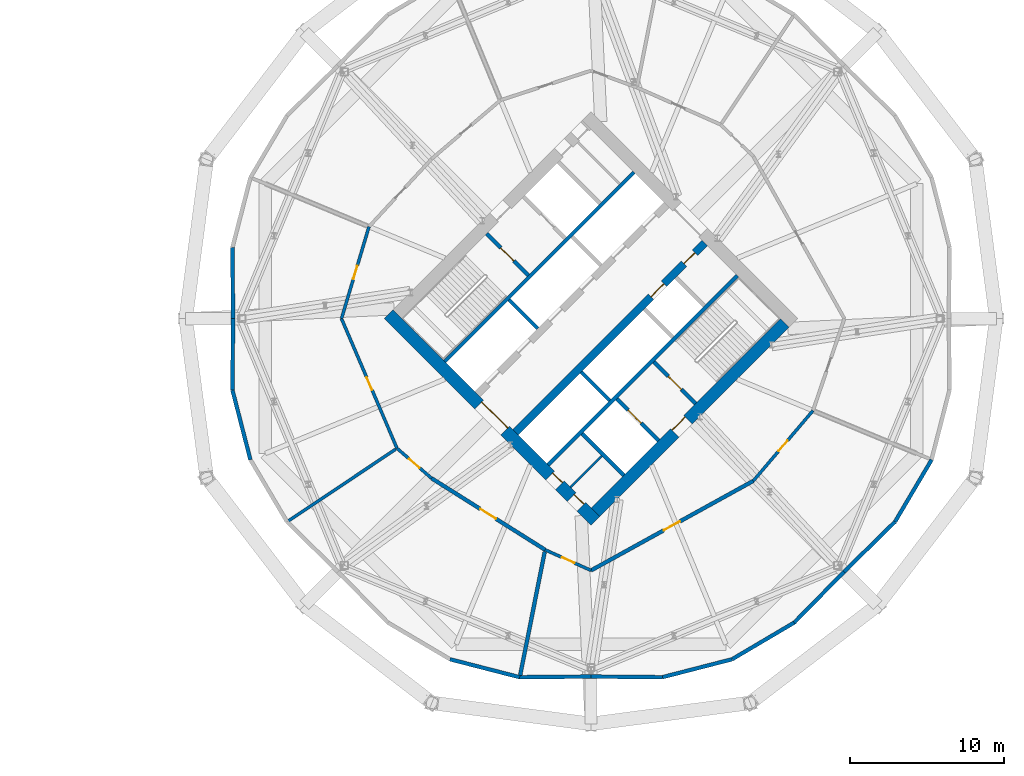
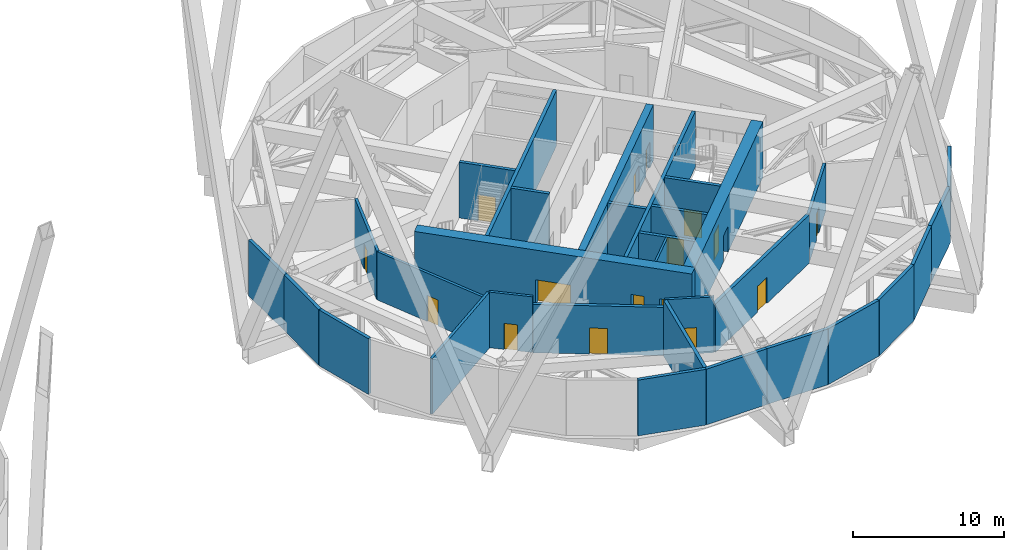
# One storey, part 17 of 21: 32 walls, 16 doors, 16 openings.
"""IFC4 building model written with IfcOpenShell, lengths in metres."""

from ifc_helpers import new_model, si_unit, direction, frame, frame_2d, origin, place, context, subcontext, project, spatial, rectangle, extrude, material, layer, layer_set, type_object, element, fill, save


model = new_model("IFC4")

# Units and contexts
model_context = context("Model", 3, precision=1e-05, world=origin(), true_north=direction((0.0, 1.0)))
body_context = subcontext(model_context, "Body", "Model", "MODEL_VIEW")
ifc_project = project(units=[si_unit("LENGTHUNIT", "METRE"), si_unit("AREAUNIT", "SQUARE_METRE"), si_unit("VOLUMEUNIT", "CUBIC_METRE"), si_unit("PLANEANGLEUNIT", "RADIAN"), si_unit("MASSUNIT", "GRAM", prefix="KILO")], contexts=[model_context])

# Site, building, storey
site_placement = place(None, origin())
site = spatial("IfcSite", under=ifc_project, at=site_placement, CompositionType="ELEMENT")
building_placement = place(site_placement, origin())
building = spatial("IfcBuilding", under=site, at=building_placement, Name="Ogive Gate Towers", CompositionType="ELEMENT")
storey_placement = place(building_placement, frame((0.0, 0.0, 71.39990234375)))
storey = spatial("IfcBuildingStorey", under=building, at=storey_placement, Name="L16", CompositionType="ELEMENT", Elevation=71.39990234375)

# Wall
ifc_material_1 = material(Name="Fire-rated block compartment wall")
ifc_layer_1 = layer(ifc_material_1, 0.199951171875)
ifc_layer_set_1 = layer_set([ifc_layer_1], Name="Compartment wall 200")
wall_type_1 = type_object("IfcWallType", Name="Compartment wall 200", PredefinedType="PARTITIONING", material=ifc_layer_set_1)
wall_1_placement = place(storey_placement, frame((16.232177734375, -13.217529296875, 0.0), z_axis=(0.0, 0.0, 1.0), x_axis=(0.831295588164, 0.555830590287, 0.0)))
element("IfcWall", 1, at=wall_1_placement, inside=storey, type_object=wall_type_1, Name="Partition T2-L16-005", PredefinedType="PARTITIONING", context=body_context, shape_type="SweptSolid", body=[
    extrude(rectangle(XDim=8.51904296875, YDim=0.199951171875, at=frame_2d((4.259521484375, 0.0))), origin(), (0.0, 0.0, 1.0), 4.5),
])

# Wall, opening, door
wall_2_placement = place(storey_placement, frame((21.577392578125, 5.97412109375, 0.0), z_axis=(0.0, 0.0, 1.0), x_axis=(-0.286629425358, -0.958041529642, 0.0)))
wall_2 = element("IfcWall", 2, at=wall_2_placement, inside=storey, type_object=wall_type_1, Name="Partition T2-L16-013", PredefinedType="PARTITIONING", context=body_context, shape_type="SweptSolid", body=[
    extrude(rectangle(XDim=6.23583984375, YDim=0.199951171875, at=frame_2d((3.117919921875, 0.0))), origin(), (0.0, 0.0, 1.0), 3.900146484375),
])
opening_1_placement = place(wall_2_placement, frame((2.64990234375, 0.0, 0.0)))
opening_1 = element("IfcOpeningElement", 3, at=opening_1_placement, cuts=wall_2, Name="Opening T2-L16-D06", PredefinedType="OPENING", context=body_context, shape_type="SweptSolid", body=[
    extrude(rectangle(XDim=0.89990234375, YDim=2.10009765625, at=frame_2d((0.449951171875, 1.050048828125))), frame((0.0, 0.10986328125, 0.0), z_axis=(0.0, -1.0, 0.0), x_axis=(1.0, 0.0, 0.0)), (0.0, 0.0, 1.0), 0.219970703125),
])
ifc_material_2 = material(Name="Steel fire door", Category="steel")
door_type_1 = type_object("IfcDoorType", Name="Fire door 900 FD30S", OperationType="NOTDEFINED", PredefinedType="DOOR", material=ifc_material_2)
door_1_placement = place(opening_1_placement, origin())
door_1 = element("IfcDoor", 4, at=door_1_placement, inside=storey, type_object=door_type_1, Name="Door T2-L16-D06", OperationType="SINGLE_SWING_RIGHT", OverallHeight=2.10009765625, OverallWidth=0.89990234375, PredefinedType="DOOR", context=body_context, shape_type="SweptSolid", body=[
    extrude(rectangle(XDim=0.89990234375, YDim=2.10009765625, at=frame_2d((0.449951171875, 1.050048828125))), frame((0.0, 0.02490234375, 0.0), z_axis=(0.0, -1.0, 0.0), x_axis=(1.0, 0.0, 0.0)), (0.0, 0.0, 1.0), 0.050048828125),
])
fill(opening_1, door_1)

wall_3_placement = place(storey_placement, frame((19.7900390625, 0.0, 0.0), z_axis=(0.0, 0.0, 1.0), x_axis=(0.393523878436, -0.919314395134, 0.0)))
wall_3 = element("IfcWall", 5, at=wall_3_placement, inside=storey, type_object=wall_type_1, Name="Partition T2-L16-014", PredefinedType="PARTITIONING", context=body_context, shape_type="SweptSolid", body=[
    extrude(rectangle(XDim=9.166259765625, YDim=0.199951171875, at=frame_2d((4.5830078125, 0.0))), origin(), (0.0, 0.0, 1.0), 3.900146484375),
])
opening_2_placement = place(wall_3_placement, frame((4.14990234375, 0.0, 0.0)))
opening_2 = element("IfcOpeningElement", 6, at=opening_2_placement, cuts=wall_3, Name="Opening T2-L16-D07", PredefinedType="OPENING", context=body_context, shape_type="SweptSolid", body=[
    extrude(rectangle(XDim=0.89990234375, YDim=2.10009765625, at=frame_2d((0.449951171875, 1.050048828125))), frame((0.0, 0.10986328125, 0.0), z_axis=(0.0, -1.0, 0.0), x_axis=(1.0, 0.0, 0.0)), (0.0, 0.0, 1.0), 0.219970703125),
])
door_2_placement = place(opening_2_placement, origin())
door_2 = element("IfcDoor", 7, at=door_2_placement, inside=storey, type_object=door_type_1, Name="Door T2-L16-D07", OperationType="SINGLE_SWING_LEFT", OverallHeight=2.10009765625, OverallWidth=0.89990234375, PredefinedType="DOOR", context=body_context, shape_type="SweptSolid", body=[
    extrude(rectangle(XDim=0.89990234375, YDim=2.10009765625, at=frame_2d((0.449951171875, 1.050048828125))), frame((0.0, 0.02490234375, 0.0), z_axis=(0.0, -1.0, 0.0), x_axis=(1.0, 0.0, 0.0)), (0.0, 0.0, 1.0), 0.050048828125),
])
fill(opening_2, door_2)

wall_4_placement = place(storey_placement, frame((23.397216796875, -8.4267578125, 0.0), z_axis=(0.0, 0.0, 1.0), x_axis=(0.755506740613, -0.655140874078, 0.0)))
wall_4 = element("IfcWall", 8, at=wall_4_placement, inside=storey, type_object=wall_type_1, Name="Partition T2-L16-015", PredefinedType="PARTITIONING", context=body_context, shape_type="SweptSolid", body=[
    extrude(rectangle(XDim=2.96044921875, YDim=0.199951171875, at=frame_2d((1.480224609375, 0.0))), origin(), (0.0, 0.0, 1.0), 4.5),
])
opening_3_placement = place(wall_4_placement, frame((1.050048828125, 0.0, 0.0)))
opening_3 = element("IfcOpeningElement", 9, at=opening_3_placement, cuts=wall_4, Name="Opening T2-L16-D08", PredefinedType="OPENING", context=body_context, shape_type="SweptSolid", body=[
    extrude(rectangle(XDim=0.89990234375, YDim=2.10009765625, at=frame_2d((0.449951171875, 1.050048828125))), frame((0.0, 0.10986328125, 0.0), z_axis=(0.0, -1.0, 0.0), x_axis=(1.0, 0.0, 0.0)), (0.0, 0.0, 1.0), 0.219970703125),
])
door_3_placement = place(opening_3_placement, origin())
door_3 = element("IfcDoor", 10, at=door_3_placement, inside=storey, type_object=door_type_1, Name="Door T2-L16-D08", OperationType="SINGLE_SWING_RIGHT", OverallHeight=2.10009765625, OverallWidth=0.89990234375, PredefinedType="DOOR", context=body_context, shape_type="SweptSolid", body=[
    extrude(rectangle(XDim=0.89990234375, YDim=2.10009765625, at=frame_2d((0.449951171875, 1.050048828125))), frame((0.0, 0.02490234375, 0.0), z_axis=(0.0, -1.0, 0.0), x_axis=(1.0, 0.0, 0.0)), (0.0, 0.0, 1.0), 0.050048828125),
])
fill(opening_3, door_3)

wall_5_placement = place(storey_placement, frame((33.017822265625, -15.017333984375, 0.0), z_axis=(0.0, 0.0, 1.0), x_axis=(0.911830694214, -0.410566419826, 0.0)))
wall_5 = element("IfcWall", 11, at=wall_5_placement, inside=storey, type_object=wall_type_1, Name="Partition T2-L16-017", PredefinedType="PARTITIONING", context=body_context, shape_type="SweptSolid", body=[
    extrude(rectangle(XDim=3.2705078125, YDim=0.199951171875, at=frame_2d((1.63525390625, 0.0))), origin(), (0.0, 0.0, 1.0), 4.5),
])
opening_4_placement = place(wall_5_placement, frame((1.199951171875, 0.0, 0.0)))
opening_4 = element("IfcOpeningElement", 12, at=opening_4_placement, cuts=wall_5, Name="Opening T2-L16-D10", PredefinedType="OPENING", context=body_context, shape_type="SweptSolid", body=[
    extrude(rectangle(XDim=0.89990234375, YDim=2.10009765625, at=frame_2d((0.449951171875, 1.050048828125))), frame((0.0, 0.10986328125, 0.0), z_axis=(0.0, -1.0, 0.0), x_axis=(1.0, 0.0, 0.0)), (0.0, 0.0, 1.0), 0.219970703125),
])
door_4_placement = place(opening_4_placement, origin())
door_4 = element("IfcDoor", 13, at=door_4_placement, inside=storey, type_object=door_type_1, Name="Door T2-L16-D10", OperationType="SINGLE_SWING_LEFT", OverallHeight=2.10009765625, OverallWidth=0.89990234375, PredefinedType="DOOR", context=body_context, shape_type="SweptSolid", body=[
    extrude(rectangle(XDim=0.89990234375, YDim=2.10009765625, at=frame_2d((0.449951171875, 1.050048828125))), frame((0.0, 0.02490234375, 0.0), z_axis=(0.0, -1.0, 0.0), x_axis=(1.0, 0.0, 0.0)), (0.0, 0.0, 1.0), 0.050048828125),
])
fill(opening_4, door_4)

wall_6_placement = place(storey_placement, frame((46.54296875, -10.54296875, 0.0), z_axis=(0.0, 0.0, 1.0), x_axis=(0.647272353468, 0.7622588146, 0.0)))
wall_6 = element("IfcWall", 14, at=wall_6_placement, inside=storey, type_object=wall_type_1, Name="Partition T2-L16-019", PredefinedType="PARTITIONING", context=body_context, shape_type="SweptSolid", body=[
    extrude(rectangle(XDim=5.993896484375, YDim=0.199951171875, at=frame_2d((2.9970703125, 0.0))), origin(), (0.0, 0.0, 1.0), 3.900146484375),
])
opening_5_placement = place(wall_6_placement, frame((2.550048828125, 0.0, 0.0)))
opening_5 = element("IfcOpeningElement", 15, at=opening_5_placement, cuts=wall_6, Name="Opening T2-L16-D12", PredefinedType="OPENING", context=body_context, shape_type="SweptSolid", body=[
    extrude(rectangle(XDim=0.89990234375, YDim=2.10009765625, at=frame_2d((0.449951171875, 1.050048828125))), frame((0.0, 0.10986328125, 0.0), z_axis=(0.0, -1.0, 0.0), x_axis=(1.0, 0.0, 0.0)), (0.0, 0.0, 1.0), 0.219970703125),
])
door_5_placement = place(opening_5_placement, origin())
door_5 = element("IfcDoor", 16, at=door_5_placement, inside=storey, type_object=door_type_1, Name="Door T2-L16-D12", OperationType="SINGLE_SWING_RIGHT", OverallHeight=2.10009765625, OverallWidth=0.89990234375, PredefinedType="DOOR", context=body_context, shape_type="SweptSolid", body=[
    extrude(rectangle(XDim=0.89990234375, YDim=2.10009765625, at=frame_2d((0.449951171875, 1.050048828125))), frame((0.0, 0.02490234375, 0.0), z_axis=(0.0, -1.0, 0.0), x_axis=(1.0, 0.0, 0.0)), (0.0, 0.0, 1.0), 0.050048828125),
])
fill(opening_5, door_5)

ifc_material_3 = material(Name="Concrete C60/75", Category="concrete")
ifc_layer_2 = layer(ifc_material_3, 0.800048828125)
ifc_layer_set_2 = layer_set([ifc_layer_2], Name="Core wall 800 mm")
wall_type_2 = type_object("IfcWallType", Name="Core wall 800 mm", PredefinedType="SHEAR", material=ifc_layer_set_2)
wall_7_placement = place(storey_placement, frame((36.28271484375, -12.58642578125, 0.0), z_axis=(0.0, 0.0, 1.0), x_axis=(0.707106781187, 0.707106781187, 0.0)))
wall_7 = element("IfcWall", 17, at=wall_7_placement, inside=storey, type_object=wall_type_2, Name="T2 L16 Core wall 800 mm", PredefinedType="SHEAR", context=body_context, shape_type="SweptSolid", body=[
    extrude(rectangle(XDim=17.400146484375, YDim=0.800048828125, at=frame_2d((8.7001953125, 0.0))), origin(), (0.0, 0.0, 1.0), 4.5),
])
opening_6_placement = place(wall_7_placement, frame((7.300048828125, 0.0, 0.0)))
opening_6 = element("IfcOpeningElement", 18, at=opening_6_placement, cuts=wall_7, Name="Opening KD-T2-L16-16", PredefinedType="OPENING", context=body_context, shape_type="SweptSolid", body=[
    extrude(rectangle(XDim=1.199951171875, YDim=2.10009765625, at=frame_2d((0.60009765625, 1.050048828125))), frame((0.0, 0.41015625, 0.0), z_axis=(0.0, -1.0, 0.0), x_axis=(1.0, 0.0, 0.0)), (0.0, 0.0, 1.0), 0.820068359375),
])
door_type_2 = type_object("IfcDoorType", Name="Core door FD60S 1200 x 2100", OperationType="NOTDEFINED", PredefinedType="DOOR", material=ifc_material_2)
door_6_placement = place(opening_6_placement, origin())
door_6 = element("IfcDoor", 19, at=door_6_placement, inside=storey, type_object=door_type_2, Name="T2 L16 Fire-fighting lobby door", OperationType="SINGLE_SWING_LEFT", OverallHeight=2.10009765625, OverallWidth=1.199951171875, PredefinedType="DOOR", context=body_context, shape_type="SweptSolid", body=[
    extrude(rectangle(XDim=1.199951171875, YDim=2.10009765625, at=frame_2d((0.60009765625, 1.050048828125))), frame((0.0, 0.27490234375, 0.0), z_axis=(0.0, -1.0, 0.0), x_axis=(1.0, 0.0, 0.0)), (0.0, 0.0, 1.0), 0.050048828125),
])
fill(opening_6, door_6)

# Wall, openings, doors
wall_8_placement = place(storey_placement, frame((36.28271484375, -13.152099609375, 0.0), z_axis=(0.0, 0.0, 1.0), x_axis=(-0.707106781187, 0.707106781187, 0.0)))
wall_8 = element("IfcWall", 20, at=wall_8_placement, inside=storey, type_object=wall_type_2, Name="T2 L16 Core wall 800 mm", PredefinedType="SHEAR", context=body_context, shape_type="SweptSolid", body=[
    extrude(rectangle(XDim=18.999755859375, YDim=0.800048828125, at=frame_2d((9.5, 0.0))), origin(), (0.0, 0.0, 1.0), 4.5),
])
opening_7_placement = place(wall_8_placement, frame((8.300048828125, 0.0, 0.0)))
opening_7 = element("IfcOpeningElement", 21, at=opening_7_placement, cuts=wall_8, Name="Opening KD-T2-L16-01", PredefinedType="OPENING", context=body_context, shape_type="SweptSolid", body=[
    extrude(rectangle(XDim=2.39990234375, YDim=2.10009765625, at=frame_2d((1.199951171875, 1.050048828125))), frame((0.0, 0.41015625, 0.0), z_axis=(0.0, -1.0, 0.0), x_axis=(1.0, 0.0, 0.0)), (0.0, 0.0, 1.0), 0.820068359375),
])
opening_8_placement = place(wall_8_placement, frame((1.300048828125, 0.0, 0.0)))
opening_8 = element("IfcOpeningElement", 22, at=opening_8_placement, cuts=wall_8, Name="Opening KD-T2-L16-19", PredefinedType="OPENING", context=body_context, shape_type="SweptSolid", body=[
    extrude(rectangle(XDim=0.89990234375, YDim=2.10009765625, at=frame_2d((0.449951171875, 1.050048828125))), frame((0.0, 0.41015625, 0.0), z_axis=(0.0, -1.0, 0.0), x_axis=(1.0, 0.0, 0.0)), (0.0, 0.0, 1.0), 0.820068359375),
])
opening_9_placement = place(wall_8_placement, frame((3.27490234375, 0.0, 0.0)))
opening_9 = element("IfcOpeningElement", 23, at=opening_9_placement, cuts=wall_8, Name="Opening KD-T2-L16-20", PredefinedType="OPENING", context=body_context, shape_type="SweptSolid", body=[
    extrude(rectangle(XDim=0.89990234375, YDim=2.10009765625, at=frame_2d((0.449951171875, 1.050048828125))), frame((0.0, 0.41015625, 0.0), z_axis=(0.0, -1.0, 0.0), x_axis=(1.0, 0.0, 0.0)), (0.0, 0.0, 1.0), 0.820068359375),
])
door_type_3 = type_object("IfcDoorType", Name="Core door FD60S 900 x 2100", OperationType="NOTDEFINED", PredefinedType="DOOR", material=ifc_material_2)
door_7_placement = place(opening_8_placement, origin())
door_7 = element("IfcDoor", 24, at=door_7_placement, inside=storey, type_object=door_type_3, Name="T2 L16 Core door", OperationType="SINGLE_SWING_RIGHT", OverallHeight=2.10009765625, OverallWidth=0.89990234375, PredefinedType="DOOR", context=body_context, shape_type="SweptSolid", body=[
    extrude(rectangle(XDim=0.89990234375, YDim=2.10009765625, at=frame_2d((0.449951171875, 1.050048828125))), frame((0.0, -0.22509765625, 0.0), z_axis=(0.0, -1.0, 0.0), x_axis=(1.0, 0.0, 0.0)), (0.0, 0.0, 1.0), 0.050048828125),
])
fill(opening_8, door_7)
door_8_placement = place(opening_9_placement, origin())
door_8 = element("IfcDoor", 25, at=door_8_placement, inside=storey, type_object=door_type_3, Name="T2 L16 Core door", OperationType="SINGLE_SWING_LEFT", OverallHeight=2.10009765625, OverallWidth=0.89990234375, PredefinedType="DOOR", context=body_context, shape_type="SweptSolid", body=[
    extrude(rectangle(XDim=0.89990234375, YDim=2.10009765625, at=frame_2d((0.449951171875, 1.050048828125))), frame((0.0, -0.22509765625, 0.0), z_axis=(0.0, -1.0, 0.0), x_axis=(1.0, 0.0, 0.0)), (0.0, 0.0, 1.0), 0.050048828125),
])
fill(opening_9, door_8)
door_type_4 = type_object("IfcDoorType", Name="Core double door FD60S 2400 x 2100", OperationType="DOUBLE_DOOR_SINGLE_SWING", PredefinedType="DOOR", material=ifc_material_2)
door_9_placement = place(opening_7_placement, origin())
door_9 = element("IfcDoor", 26, at=door_9_placement, inside=storey, type_object=door_type_4, Name="T2 L16 Core door double", OperationType="DOUBLE_DOOR_SINGLE_SWING", OverallHeight=2.10009765625, OverallWidth=2.39990234375, PredefinedType="DOOR", context=body_context, shape_type="SweptSolid", body=[
    extrude(rectangle(XDim=2.39990234375, YDim=2.10009765625, at=frame_2d((1.199951171875, 1.050048828125))), frame((0.0, -0.22509765625, 0.0), z_axis=(0.0, -1.0, 0.0), x_axis=(1.0, 0.0, 0.0)), (0.0, 0.0, 1.0), 0.050048828125),
])
fill(opening_7, door_9)

# Walls
ifc_material_4 = material(Name="Pale metal aluminium louvre", Category="aluminium")
ifc_layer_3 = layer(ifc_material_4, 0.25)
ifc_layer_set_3 = layer_set([ifc_layer_3], Name="Plant louvre wall")
wall_type_3 = type_object("IfcWallType", Name="Plant louvre wall", PredefinedType="SOLIDWALL", material=ifc_layer_set_3)
for number, where, z_axis, x_axis, name in (
    (27, (12.701904296875, 4.63623046875, 0.0), (0.0, 0.0, 1.0), (0.00932029026, -0.999956565151, 0.0), "Plant louvre wall"),
    (28, (12.7451171875, 0.0, 0.0), (0.0, 0.0, 1.0), (-0.00932029026, -0.999956565151, 0.0), "Plant louvre wall"),
):
    element("IfcWall", number, at=place(storey_placement, frame(where, z_axis=z_axis, x_axis=x_axis)), inside=storey, type_object=wall_type_3, Name=name, PredefinedType="SOLIDWALL", context=body_context, shape_type="SweptSolid", body=[
        extrude(rectangle(XDim=4.636474609375, YDim=0.25, at=frame_2d((2.318359375, 0.0))), origin(), (0.0, 0.0, 1.0), 4.5),
    ])
for number, where, z_axis, x_axis, name in (
    (29, (12.701904296875, -4.63623046875, 0.0), (0.0, 0.0, 1.0), (0.249380850957, -0.968405489026, 0.0), "Plant louvre wall"),
    (30, (26.8330078125, -22.13134765625, 0.0), (0.0, 0.0, 1.0), (0.968405489026, -0.249380850957, 0.0), "Plant louvre wall"),
):
    element("IfcWall", number, at=place(storey_placement, frame(where, z_axis=z_axis, x_axis=x_axis)), inside=storey, type_object=wall_type_3, Name=name, PredefinedType="SOLIDWALL", context=body_context, shape_type="SweptSolid", body=[
        extrude(rectangle(XDim=4.678466796875, YDim=0.25, at=frame_2d((2.33935546875, 0.0))), origin(), (0.0, 0.0, 1.0), 4.5),
    ])
for number, where, z_axis, x_axis, name in (
    (31, (31.36376953125, -23.298095703125, 0.0), (0.0, 0.0, 1.0), (0.999956565151, 0.00932029026, 0.0), "Plant louvre wall"),
    (32, (36.0, -23.2548828125, 0.0), (0.0, 0.0, 1.0), (0.999956565151, -0.00932029026, 0.0), "Plant louvre wall"),
):
    element("IfcWall", number, at=place(storey_placement, frame(where, z_axis=z_axis, x_axis=x_axis)), inside=storey, type_object=wall_type_3, Name=name, PredefinedType="SOLIDWALL", context=body_context, shape_type="SweptSolid", body=[
        extrude(rectangle(XDim=4.636474609375, YDim=0.25, at=frame_2d((2.318359375, 0.0))), origin(), (0.0, 0.0, 1.0), 4.5),
    ])
wall_9_placement = place(storey_placement, frame((40.63623046875, -23.298095703125, 0.0), z_axis=(0.0, 0.0, 1.0), x_axis=(0.968405489026, 0.249380850957, 0.0)))
element("IfcWall", 33, at=wall_9_placement, inside=storey, type_object=wall_type_3, Name="Plant louvre wall", PredefinedType="SOLIDWALL", context=body_context, shape_type="SweptSolid", body=[
    extrude(rectangle(XDim=4.678466796875, YDim=0.25, at=frame_2d((2.33935546875, 0.0))), origin(), (0.0, 0.0, 1.0), 4.5),
])
wall_10_placement = place(storey_placement, frame((45.1669921875, -22.13134765625, 0.0), z_axis=(0.0, 0.0, 1.0), x_axis=(0.861090617776, 0.508451519792, 0.0)))
element("IfcWall", 34, at=wall_10_placement, inside=storey, type_object=wall_type_3, Name="Plant louvre wall", PredefinedType="SOLIDWALL", context=body_context, shape_type="SweptSolid", body=[
    extrude(rectangle(XDim=4.6787109375, YDim=0.25, at=frame_2d((2.33935546875, 0.0))), origin(), (0.0, 0.0, 1.0), 4.5),
])
for number, where, z_axis, x_axis, name in (
    (35, (49.19580078125, -19.75244140625, 0.0), (0.0, 0.0, 1.0), (0.700547180345, 0.713606087495, 0.0), "Plant louvre wall"),
    (36, (52.44384765625, -16.44384765625, 0.0), (0.0, 0.0, 1.0), (0.713606087495, 0.700547180345, 0.0), "Plant louvre wall"),
):
    element("IfcWall", number, at=place(storey_placement, frame(where, z_axis=z_axis, x_axis=x_axis)), inside=storey, type_object=wall_type_3, Name=name, PredefinedType="SOLIDWALL", context=body_context, shape_type="SweptSolid", body=[
        extrude(rectangle(XDim=4.636474609375, YDim=0.25, at=frame_2d((2.318359375, 0.0))), origin(), (0.0, 0.0, 1.0), 4.5),
    ])
wall_11_placement = place(storey_placement, frame((55.75244140625, -13.19580078125, 0.0), z_axis=(0.0, 0.0, 1.0), x_axis=(0.508451519792, 0.861090617776, 0.0)))
element("IfcWall", 37, at=wall_11_placement, inside=storey, type_object=wall_type_3, Name="Plant louvre wall", PredefinedType="SOLIDWALL", context=body_context, shape_type="SweptSolid", body=[
    extrude(rectangle(XDim=4.6787109375, YDim=0.25, at=frame_2d((2.33935546875, 0.0))), origin(), (0.0, 0.0, 1.0), 4.5),
])
ifc_material_5 = material(Name="Fire-rated concrete block wall", Category="concrete")
ifc_layer_4 = layer(ifc_material_5, 0.25)
ifc_layer_set_4 = layer_set([ifc_layer_4], Name="Refuge compartment wall 250")
wall_type_4 = type_object("IfcWallType", Name="Refuge compartment wall 250", PredefinedType="PARTITIONING", material=ifc_layer_set_4)
wall_12_placement = place(storey_placement, frame((31.3681640625, -23.32421875, 0.0), z_axis=(0.0, 0.0, 1.0), x_axis=(0.194776792873, 0.980847593135, 0.0)))
element("IfcWall", 38, at=wall_12_placement, inside=storey, type_object=wall_type_4, Name="Partition T2-L16-006", PredefinedType="PARTITIONING", context=body_context, shape_type="SweptSolid", body=[
    extrude(rectangle(XDim=8.34423828125, YDim=0.25, at=frame_2d((4.172119140625, 0.0))), origin(), (0.0, 0.0, 1.0), 4.5),
])

# Wall, opening, door
wall_13_placement = place(storey_placement, frame((25.6337890625, -10.3662109375, 0.0), z_axis=(0.0, 0.0, 1.0), x_axis=(0.846133782774, -0.532970563585, 0.0)))
wall_13 = element("IfcWall", 39, at=wall_13_placement, inside=storey, type_object=wall_type_4, Name="Partition T2-L16-016", PredefinedType="PARTITIONING", context=body_context, shape_type="SweptSolid", body=[
    extrude(rectangle(XDim=8.726806640625, YDim=0.25, at=frame_2d((4.36328125, 0.0))), origin(), (0.0, 0.0, 1.0), 3.900146484375),
])
opening_10_placement = place(wall_13_placement, frame((3.75, 0.0, 0.0)))
opening_10 = element("IfcOpeningElement", 40, at=opening_10_placement, cuts=wall_13, Name="Opening T2-L16-D09", PredefinedType="OPENING", context=body_context, shape_type="SweptSolid", body=[
    extrude(rectangle(XDim=1.199951171875, YDim=2.10009765625, at=frame_2d((0.60009765625, 1.050048828125))), frame((0.0, 0.135009765625, 0.0), z_axis=(0.0, -1.0, 0.0), x_axis=(1.0, 0.0, 0.0)), (0.0, 0.0, 1.0), 0.27001953125),
])
door_type_5 = type_object("IfcDoorType", Name="Fire door 1200 FD60S", OperationType="NOTDEFINED", PredefinedType="DOOR", material=ifc_material_2)
door_10_placement = place(opening_10_placement, origin())
door_10 = element("IfcDoor", 41, at=door_10_placement, inside=storey, type_object=door_type_5, Name="Door T2-L16-D09", OperationType="SINGLE_SWING_RIGHT", OverallHeight=2.10009765625, OverallWidth=1.199951171875, PredefinedType="DOOR", context=body_context, shape_type="SweptSolid", body=[
    extrude(rectangle(XDim=1.199951171875, YDim=2.10009765625, at=frame_2d((0.60009765625, 1.050048828125))), frame((0.0, 0.02490234375, 0.0), z_axis=(0.0, -1.0, 0.0), x_axis=(1.0, 0.0, 0.0)), (0.0, 0.0, 1.0), 0.050048828125),
])
fill(opening_10, door_10)

wall_14_placement = place(storey_placement, frame((36.0, -16.360107421875, 0.0), z_axis=(0.0, 0.0, 1.0), x_axis=(0.87556615073, 0.483098246421, 0.0)))
wall_14 = element("IfcWall", 42, at=wall_14_placement, inside=storey, type_object=wall_type_4, Name="Partition T2-L16-018", PredefinedType="PARTITIONING", context=body_context, shape_type="SweptSolid", body=[
    extrude(rectangle(XDim=12.041259765625, YDim=0.25, at=frame_2d((6.0205078125, 0.0))), origin(), (0.0, 0.0, 1.0), 3.900146484375),
])
opening_11_placement = place(wall_14_placement, frame((5.39990234375, 0.0, 0.0)))
opening_11 = element("IfcOpeningElement", 43, at=opening_11_placement, cuts=wall_14, Name="Opening T2-L16-D11", PredefinedType="OPENING", context=body_context, shape_type="SweptSolid", body=[
    extrude(rectangle(XDim=1.199951171875, YDim=2.10009765625, at=frame_2d((0.60009765625, 1.050048828125))), frame((0.0, 0.135009765625, 0.0), z_axis=(0.0, -1.0, 0.0), x_axis=(1.0, 0.0, 0.0)), (0.0, 0.0, 1.0), 0.27001953125),
])
door_11_placement = place(opening_11_placement, origin())
door_11 = element("IfcDoor", 44, at=door_11_placement, inside=storey, type_object=door_type_5, Name="Door T2-L16-D11", OperationType="SINGLE_SWING_LEFT", OverallHeight=2.10009765625, OverallWidth=1.199951171875, PredefinedType="DOOR", context=body_context, shape_type="SweptSolid", body=[
    extrude(rectangle(XDim=1.199951171875, YDim=2.10009765625, at=frame_2d((0.60009765625, 1.050048828125))), frame((0.0, 0.02490234375, 0.0), z_axis=(0.0, -1.0, 0.0), x_axis=(1.0, 0.0, 0.0)), (0.0, 0.0, 1.0), 0.050048828125),
])
fill(opening_11, door_11)

# Walls
ifc_material_6 = material(Name="Gypsum board partition")
ifc_layer_5 = layer(ifc_material_6, 0.14990234375)
ifc_layer_set_5 = layer_set([ifc_layer_5], Name="Room partition 150 mm")
wall_type_5 = type_object("IfcWallType", Name="Room partition 150 mm", PredefinedType="PARTITIONING", material=ifc_layer_set_5)
wall_15_placement = place(storey_placement, frame((34.656494140625, -10.960205078125, 0.0), z_axis=(0.0, 0.0, 1.0), x_axis=(0.707106781187, 0.707106781187, 0.0)))
element("IfcWall", 45, at=wall_15_placement, inside=storey, type_object=wall_type_5, Name="T2 L16 Room partition 150 mm", PredefinedType="PARTITIONING", context=body_context, shape_type="SweptSolid", body=[
    extrude(rectangle(XDim=2.875, YDim=0.14990234375, at=frame_2d((1.4375, 0.0))), origin(), (0.0, 0.0, 1.0), 4.5),
])
ifc_layer_6 = layer(ifc_material_3, 0.25)
ifc_layer_set_6 = layer_set([ifc_layer_6], Name="Shaft wall 250 mm")
wall_type_6 = type_object("IfcWallType", Name="Shaft wall 250 mm", PredefinedType="SHEAR", material=ifc_layer_set_6)
for number, where, z_axis, x_axis, name in (
    (46, (33.206787109375, -9.510498046875, 0.0), (0.0, 0.0, 1.0), (0.707106781187, 0.707106781187, 0.0), "T2 L16 Shaft wall 250 mm"),
    (47, (26.489501953125, -2.793212890625, 0.0), (0.0, 0.0, 1.0), (0.707106781187, 0.707106781187, 0.0), "T2 L16 Shaft wall 250 mm"),
):
    element("IfcWall", number, at=place(storey_placement, frame(where, z_axis=z_axis, x_axis=x_axis)), inside=storey, type_object=wall_type_6, Name=name, PredefinedType="SHEAR", context=body_context, shape_type="SweptSolid", body=[
        extrude(rectangle(XDim=17.400146484375, YDim=0.25, at=frame_2d((8.7001953125, 0.0))), origin(), (0.0, 0.0, 1.0), 4.5),
    ])
wall_16_placement = place(storey_placement, frame((38.121337890625, -10.182373046875, 0.0), z_axis=(0.0, 0.0, 1.0), x_axis=(-0.707138693938, 0.707074866995, 0.0)))
element("IfcWall", 48, at=wall_16_placement, inside=storey, type_object=wall_type_6, Name="T2 L16 Shaft wall 250 mm", PredefinedType="SHEAR", context=body_context, shape_type="SweptSolid", body=[
    extrude(rectangle(XDim=3.824951171875, YDim=0.25, at=frame_2d((1.91259765625, 0.0))), origin(), (0.0, 0.0, 1.0), 4.5),
])
for number, where, z_axis, x_axis, name in (
    (49, (37.2197265625, -5.321044921875, 0.0), (0.0, 0.0, 1.0), (-0.707106781187, 0.707106781187, 0.0), "T2 L16 Shaft wall 250 mm"),
    (50, (32.53515625, -0.636474609375, 0.0), (0.0, 0.0, 1.0), (-0.707106781187, 0.707106781187, 0.0), "T2 L16 Shaft wall 250 mm"),
):
    element("IfcWall", number, at=place(storey_placement, frame(where, z_axis=z_axis, x_axis=x_axis)), inside=storey, type_object=wall_type_6, Name=name, PredefinedType="SHEAR", context=body_context, shape_type="SweptSolid", body=[
        extrude(rectangle(XDim=2.625, YDim=0.25, at=frame_2d((1.3125, 0.0))), origin(), (0.0, 0.0, 1.0), 4.5),
    ])

# Wall, opening, door
wall_17_placement = place(storey_placement, frame((40.384033203125, -7.919677734375, 0.0), z_axis=(0.0, 0.0, 1.0), x_axis=(-0.707074866995, 0.707138693938, 0.0)))
wall_17 = element("IfcWall", 51, at=wall_17_placement, inside=storey, type_object=wall_type_6, Name="T2 L16 Shaft wall 250 mm", PredefinedType="SHEAR", context=body_context, shape_type="SweptSolid", body=[
    extrude(rectangle(XDim=3.824951171875, YDim=0.25, at=frame_2d((1.91259765625, 0.0))), origin(), (0.0, 0.0, 1.0), 4.5),
])
opening_12_placement = place(wall_17_placement, frame((1.60009765625, 0.0, 0.0)))
opening_12 = element("IfcOpeningElement", 52, at=opening_12_placement, cuts=wall_17, Name="Opening LD-T2-L16-11", PredefinedType="OPENING", context=body_context, shape_type="SweptSolid", body=[
    extrude(rectangle(XDim=1.199951171875, YDim=2.10009765625, at=frame_2d((0.60009765625, 1.050048828125))), frame((0.0, 0.135009765625, 0.0), z_axis=(0.0, -1.0, 0.0), x_axis=(1.0, 0.0, 0.0)), (0.0, 0.0, 1.0), 0.27001953125),
])
ifc_material_7 = material(Name="Stainless steel landing door", Category="steel")
door_type_6 = type_object("IfcDoorType", Name="Landing door 1200 x 2100", OperationType="SLIDING_TO_LEFT", PredefinedType="DOOR", material=ifc_material_7)
door_12_placement = place(opening_12_placement, origin())
door_12 = element("IfcDoor", 53, at=door_12_placement, inside=storey, type_object=door_type_6, Name="T2 L16 Lift landing door FF2", OperationType="SLIDING_TO_LEFT", OverallHeight=2.10009765625, OverallWidth=1.199951171875, PredefinedType="DOOR", context=body_context, shape_type="SweptSolid", body=[
    extrude(rectangle(XDim=1.199951171875, YDim=2.10009765625, at=frame_2d((0.60009765625, 1.050048828125))), frame((0.0, 0.02490234375, 0.0), z_axis=(0.0, -1.0, 0.0), x_axis=(1.0, 0.0, 0.0)), (0.0, 0.0, 1.0), 0.050048828125),
])
fill(opening_12, door_12)

wall_18_placement = place(storey_placement, frame((31.91650390625, 2.810791015625, 0.0), z_axis=(0.0, 0.0, 1.0), x_axis=(-0.707106781187, 0.707106781187, 0.0)))
wall_18 = element("IfcWall", 54, at=wall_18_placement, inside=storey, type_object=wall_type_6, Name="T2 L16 Shaft wall 250 mm", PredefinedType="SHEAR", context=body_context, shape_type="SweptSolid", body=[
    extrude(rectangle(XDim=3.824951171875, YDim=0.25, at=frame_2d((1.91259765625, 0.0))), origin(), (0.0, 0.0, 1.0), 4.5),
])
opening_13_placement = place(wall_18_placement, frame((1.324951171875, 0.0, 0.0)))
opening_13 = element("IfcOpeningElement", 55, at=opening_13_placement, cuts=wall_18, Name="Opening KD-T2-L16-13", PredefinedType="OPENING", context=body_context, shape_type="SweptSolid", body=[
    extrude(rectangle(XDim=1.199951171875, YDim=2.10009765625, at=frame_2d((0.60009765625, 1.050048828125))), frame((0.0, 0.135009765625, 0.0), z_axis=(0.0, -1.0, 0.0), x_axis=(1.0, 0.0, 0.0)), (0.0, 0.0, 1.0), 0.27001953125),
])
door_13_placement = place(opening_13_placement, origin())
door_13 = element("IfcDoor", 56, at=door_13_placement, inside=storey, type_object=door_type_2, Name="T2 L16 Stair door", OperationType="SINGLE_SWING_RIGHT", OverallHeight=2.10009765625, OverallWidth=1.199951171875, PredefinedType="DOOR", context=body_context, shape_type="SweptSolid", body=[
    extrude(rectangle(XDim=1.199951171875, YDim=2.10009765625, at=frame_2d((0.60009765625, 1.050048828125))), frame((0.0, 0.02490234375, 0.0), z_axis=(0.0, -1.0, 0.0), x_axis=(1.0, 0.0, 0.0)), (0.0, 0.0, 1.0), 0.050048828125),
])
fill(opening_13, door_13)

wall_19_placement = place(storey_placement, frame((42.7880859375, -5.515380859375, 0.0), z_axis=(0.0, 0.0, 1.0), x_axis=(-0.707106781187, 0.707106781187, 0.0)))
wall_19 = element("IfcWall", 57, at=wall_19_placement, inside=storey, type_object=wall_type_6, Name="T2 L16 Shaft wall 250 mm", PredefinedType="SHEAR", context=body_context, shape_type="SweptSolid", body=[
    extrude(rectangle(XDim=3.824951171875, YDim=0.25, at=frame_2d((1.91259765625, 0.0))), origin(), (0.0, 0.0, 1.0), 4.5),
])
opening_14_placement = place(wall_19_placement, frame((1.300048828125, 0.0, 0.0)))
opening_14 = element("IfcOpeningElement", 58, at=opening_14_placement, cuts=wall_19, Name="Opening KD-T2-L16-14", PredefinedType="OPENING", context=body_context, shape_type="SweptSolid", body=[
    extrude(rectangle(XDim=1.199951171875, YDim=2.10009765625, at=frame_2d((0.60009765625, 1.050048828125))), frame((0.0, 0.135009765625, 0.0), z_axis=(0.0, -1.0, 0.0), x_axis=(1.0, 0.0, 0.0)), (0.0, 0.0, 1.0), 0.27001953125),
])
door_14_placement = place(opening_14_placement, origin())
door_14 = element("IfcDoor", 59, at=door_14_placement, inside=storey, type_object=door_type_2, Name="T2 L16 Stair door", OperationType="SINGLE_SWING_LEFT", OverallHeight=2.10009765625, OverallWidth=1.199951171875, PredefinedType="DOOR", context=body_context, shape_type="SweptSolid", body=[
    extrude(rectangle(XDim=1.199951171875, YDim=2.10009765625, at=frame_2d((0.60009765625, 1.050048828125))), frame((0.0, 0.02490234375, 0.0), z_axis=(0.0, -1.0, 0.0), x_axis=(1.0, 0.0, 0.0)), (0.0, 0.0, 1.0), 0.050048828125),
])
fill(opening_14, door_14)

# Wall, openings, doors
ifc_layer_7 = layer(ifc_material_3, 0.5)
ifc_layer_set_7 = layer_set([ifc_layer_7], Name="Spine wall 500 mm")
wall_type_7 = type_object("IfcWallType", Name="Spine wall 500 mm", PredefinedType="SHEAR", material=ifc_layer_set_7)
wall_20_placement = place(storey_placement, frame((31.085693359375, -7.389404296875, 0.0), z_axis=(0.0, 0.0, 1.0), x_axis=(0.707106781187, 0.707106781187, 0.0)))
wall_20 = element("IfcWall", 60, at=wall_20_placement, inside=storey, type_object=wall_type_7, Name="T2 L16 Spine wall 500 mm", PredefinedType="SHEAR", context=body_context, shape_type="SweptSolid", body=[
    extrude(rectangle(XDim=17.400146484375, YDim=0.5, at=frame_2d((8.7001953125, 0.0))), origin(), (0.0, 0.0, 1.0), 4.5),
])
opening_15_placement = place(wall_20_placement, frame((12.449951171875, 0.0, 0.0)))
opening_15 = element("IfcOpeningElement", 61, at=opening_15_placement, cuts=wall_20, Name="Opening LD-T2-L16-09", PredefinedType="OPENING", context=body_context, shape_type="SweptSolid", body=[
    extrude(rectangle(XDim=1.199951171875, YDim=2.10009765625, at=frame_2d((0.60009765625, 1.050048828125))), frame((0.0, 0.260009765625, 0.0), z_axis=(0.0, -1.0, 0.0), x_axis=(1.0, 0.0, 0.0)), (0.0, 0.0, 1.0), 0.52001953125),
])
opening_16_placement = place(wall_20_placement, frame((15.5, 0.0, 0.0)))
opening_16 = element("IfcOpeningElement", 62, at=opening_16_placement, cuts=wall_20, Name="Opening KD-T2-L16-12", PredefinedType="OPENING", context=body_context, shape_type="SweptSolid", body=[
    extrude(rectangle(XDim=1.0, YDim=2.10009765625, at=frame_2d((0.5, 1.050048828125))), frame((0.0, 0.260009765625, 0.0), z_axis=(0.0, -1.0, 0.0), x_axis=(1.0, 0.0, 0.0)), (0.0, 0.0, 1.0), 0.52001953125),
])
door_type_7 = type_object("IfcDoorType", Name="Core door FD60S 1000 x 2100", OperationType="NOTDEFINED", PredefinedType="DOOR", material=ifc_material_2)
door_15_placement = place(opening_16_placement, origin())
door_15 = element("IfcDoor", 63, at=door_15_placement, inside=storey, type_object=door_type_7, Name="T2 L16 Core door", OperationType="SINGLE_SWING_LEFT", OverallHeight=2.10009765625, OverallWidth=1.0, PredefinedType="DOOR", context=body_context, shape_type="SweptSolid", body=[
    extrude(rectangle(XDim=1.0, YDim=2.10009765625, at=frame_2d((0.5, 1.050048828125))), frame((0.0, 0.02490234375, 0.0), z_axis=(0.0, -1.0, 0.0), x_axis=(1.0, 0.0, 0.0)), (0.0, 0.0, 1.0), 0.050048828125),
])
fill(opening_16, door_15)
door_16_placement = place(opening_15_placement, origin())
door_16 = element("IfcDoor", 64, at=door_16_placement, inside=storey, type_object=door_type_6, Name="T2 L16 Lift landing door SVC", OperationType="SLIDING_TO_LEFT", OverallHeight=2.10009765625, OverallWidth=1.199951171875, PredefinedType="DOOR", context=body_context, shape_type="SweptSolid", body=[
    extrude(rectangle(XDim=1.199951171875, YDim=2.10009765625, at=frame_2d((0.60009765625, 1.050048828125))), frame((0.0, 0.02490234375, 0.0), z_axis=(0.0, -1.0, 0.0), x_axis=(1.0, 0.0, 0.0)), (0.0, 0.0, 1.0), 0.050048828125),
])
fill(opening_15, door_16)

save(model, "model.ifc")
